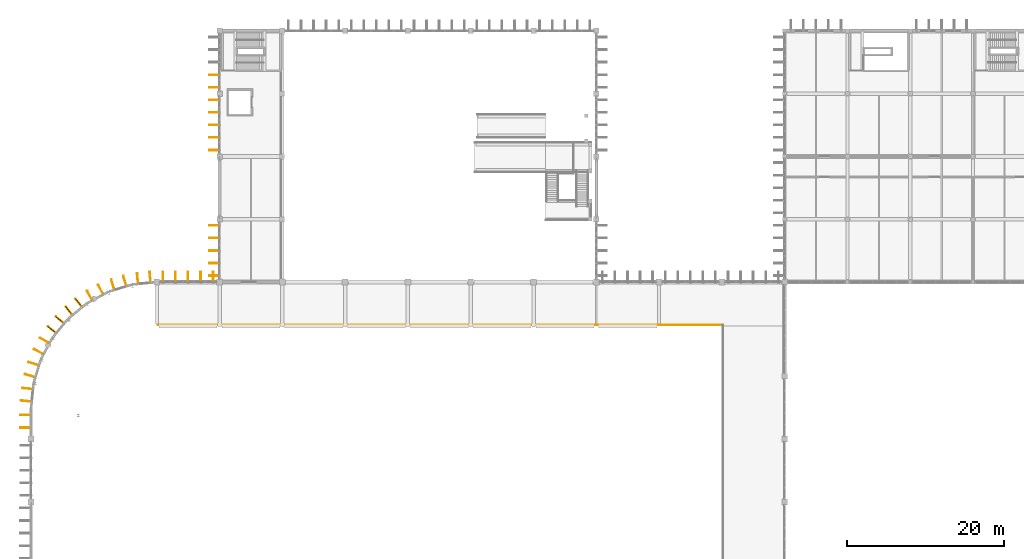
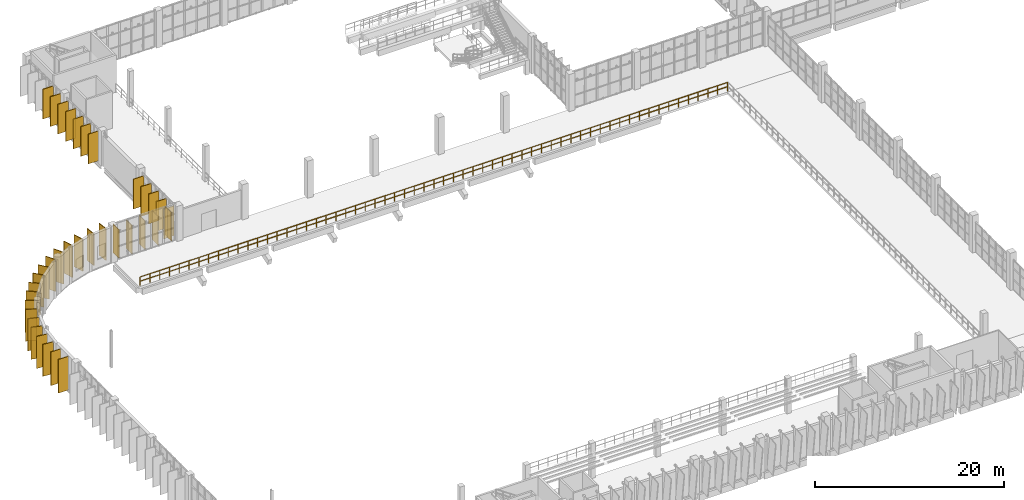
# One storey, part 89 of 93: 35 coverings, 35 shading devices, 1 railing.
"""IFC4 building model written with IfcOpenShell, lengths in metres."""

from ifc_helpers import new_model, si_unit, direction, frame, origin, origin_2d, place, context, subcontext, project, spatial, rectangle, circle, extrude, material, type_object, element, save


model = new_model("IFC4")

# Units and contexts
model_context = context("Model", 3, precision=1e-05, world=origin(), true_north=direction((0.0, 1.0)))
body_context = subcontext(model_context, "Body", "Model", "MODEL_VIEW")
ifc_project = project(units=[si_unit("LENGTHUNIT", "METRE"), si_unit("AREAUNIT", "SQUARE_METRE"), si_unit("VOLUMEUNIT", "CUBIC_METRE"), si_unit("PLANEANGLEUNIT", "RADIAN"), si_unit("MASSUNIT", "GRAM", prefix="KILO")], contexts=[model_context])

# Site, building, storey
site_placement = place(None, origin())
site = spatial("IfcSite", under=ifc_project, at=site_placement, CompositionType="ELEMENT")
building_placement = place(site_placement, origin())
building = spatial("IfcBuilding", under=site, at=building_placement, Name="Drelvana Railside Aquatics Centre", CompositionType="ELEMENT")
storey_placement = place(building_placement, frame((0.0, 0.0, 5.39990234375)))
storey = spatial("IfcBuildingStorey", under=building, at=storey_placement, Name="L01", CompositionType="ELEMENT", Elevation=5.39990234375)

# Coverings
ifc_material_1 = material(Name="Bronze-anodised extruded aluminium 6063-T6", Category="aluminium")
covering_type = type_object("IfcCoveringType", Name="COV-FIN-ALU", PredefinedType="CLADDING", material=ifc_material_1)
for number, where, z_axis, x_axis, name in (
    (1, (16.800048828125, 84.669921875, 0.0), (0.0, 0.0, 1.0), (1.0, 0.0, 0.0), "Vertical aluminium fin cladding CF-0145"),
    (2, (18.39990234375, 84.669921875, 0.0), (0.0, 0.0, 1.0), (1.0, 0.0, 0.0), "Vertical aluminium fin cladding CF-0146"),
    (3, (20.0, 84.669921875, 0.0), (0.0, 0.0, 1.0), (1.0, 0.0, 0.0), "Vertical aluminium fin cladding CF-0147"),
    (4, (21.60009765625, 84.669921875, 0.0), (0.0, 0.0, 1.0), (1.0, 0.0, 0.0), "Vertical aluminium fin cladding CF-0148"),
    (5, (23.199951171875, 84.669921875, 0.0), (0.0, 0.0, 1.0), (1.0, 0.0, 0.0), "Vertical aluminium fin cladding CF-0149"),
):
    element("IfcCovering", number, at=place(storey_placement, frame(where, z_axis=z_axis, x_axis=x_axis)), inside=storey, type_object=covering_type, Name=name, PredefinedType="CLADDING", context=body_context, shape_type="SweptSolid", body=[
        extrude(rectangle(XDim=0.0849609375, YDim=1.25, at=origin_2d()), origin(), (0.0, 0.0, 1.0), 3.699951171875),
    ])
for number, where, z_axis, x_axis, name in (
    (6, (-0.77490234375, 65.449951171875, 0.199951171875), (0.0, 0.0, 1.0), (0.0, 1.0, 0.0), "Vertical aluminium fin cladding CF-0267"),
    (7, (-0.77490234375, 67.050048828125, 0.199951171875), (0.0, 0.0, 1.0), (0.0, 1.0, 0.0), "Vertical aluminium fin cladding CF-0268"),
):
    element("IfcCovering", number, at=place(storey_placement, frame(where, z_axis=z_axis, x_axis=x_axis)), inside=storey, type_object=covering_type, Name=name, PredefinedType="CLADDING", context=body_context, shape_type="SweptSolid", body=[
        extrude(rectangle(XDim=0.0849609375, YDim=1.25, at=origin_2d()), origin(), (0.0, 0.0, 1.0), 4.35009765625),
    ])
for number, where, z_axis, x_axis, name in (
    (8, (15.162353515625, 84.666015625, 0.250244140625), (0.0, 0.0, 1.0), (0.995184726672, 0.09801714033, 0.0), "Vertical aluminium fin cladding CF-0339"),
    (9, (13.570068359375, 84.50927734375, 0.250244140625), (0.0, 0.0, 1.0), (0.995184726672, 0.09801714033, 0.0), "Vertical aluminium fin cladding CF-0340"),
    (10, (11.927001953125, 84.1826171875, 0.250244140625), (0.0, 0.0, 1.0), (0.956940335732, 0.290284677254, 0.0), "Vertical aluminium fin cladding CF-0347"),
    (11, (10.39599609375, 83.718017578125, 0.250244140625), (0.0, 0.0, 1.0), (0.956940335732, 0.290284677254, 0.0), "Vertical aluminium fin cladding CF-0348"),
    (12, (8.848388671875, 83.076904296875, 0.250244140625), (0.0, 0.0, 1.0), (0.881921264348, 0.471396736826, 0.0), "Vertical aluminium fin cladding CF-0355"),
    (13, (7.437255859375, 82.32275390625, 0.250244140625), (0.0, 0.0, 1.0), (0.881921264348, 0.471396736826, 0.0), "Vertical aluminium fin cladding CF-0356"),
    (14, (6.04443359375, 81.39208984375, 0.250244140625), (0.0, 0.0, 1.0), (0.773010453363, 0.634393284164, 0.0), "Vertical aluminium fin cladding CF-0363"),
    (15, (4.8076171875, 80.376953125, 0.250244140625), (0.0, 0.0, 1.0), (0.773010453363, 0.634393284164, 0.0), "Vertical aluminium fin cladding CF-0364"),
    (16, (3.623046875, 79.1923828125, 0.250244140625), (0.0, 0.0, 1.0), (0.634393284164, 0.773010453363, 0.0), "Vertical aluminium fin cladding CF-0371"),
    (17, (2.60791015625, 77.95556640625, 0.250244140625), (0.0, 0.0, 1.0), (0.634393284164, 0.773010453363, 0.0), "Vertical aluminium fin cladding CF-0372"),
    (18, (1.67724609375, 76.562744140625, 0.250244140625), (0.0, 0.0, 1.0), (0.471396736826, 0.881921264348, 0.0), "Vertical aluminium fin cladding CF-0379"),
    (19, (0.923095703125, 75.151611328125, 0.250244140625), (0.0, 0.0, 1.0), (0.471396736826, 0.881921264348, 0.0), "Vertical aluminium fin cladding CF-0380"),
    (20, (0.281982421875, 73.60400390625, 0.250244140625), (0.0, 0.0, 1.0), (0.290284677254, 0.956940335732, 0.0), "Vertical aluminium fin cladding CF-0387"),
    (21, (-0.1826171875, 72.072998046875, 0.250244140625), (0.0, 0.0, 1.0), (0.290284677254, 0.956940335732, 0.0), "Vertical aluminium fin cladding CF-0388"),
    (22, (-0.50927734375, 70.429931640625, 0.250244140625), (0.0, 0.0, 1.0), (0.09801714033, 0.995184726672, 0.0), "Vertical aluminium fin cladding CF-0395"),
    (23, (-0.666015625, 68.837646484375, 0.250244140625), (0.0, 0.0, 1.0), (0.09801714033, 0.995184726672, 0.0), "Vertical aluminium fin cladding CF-0396"),
):
    element("IfcCovering", number, at=place(storey_placement, frame(where, z_axis=z_axis, x_axis=x_axis)), inside=storey, type_object=covering_type, Name=name, PredefinedType="CLADDING", context=body_context, shape_type="SweptSolid", body=[
        extrude(rectangle(XDim=0.0849609375, YDim=1.25, at=origin_2d()), origin(), (0.0, 0.0, 1.0), 4.1298828125),
    ])
for number, where, z_axis, x_axis, name in (
    (24, (23.31494140625, 84.800048828125, 0.0), (0.0, 0.0, 1.0), (0.0, 1.0, 0.0), "Vertical aluminium fin cladding CF-0431"),
    (25, (23.31494140625, 86.39990234375, 0.0), (0.0, 0.0, 1.0), (0.0, 1.0, 0.0), "Vertical aluminium fin cladding CF-0432"),
    (26, (23.31494140625, 88.0, 0.0), (0.0, 0.0, 1.0), (0.0, 1.0, 0.0), "Vertical aluminium fin cladding CF-0433"),
    (27, (23.31494140625, 89.60009765625, 0.0), (0.0, 0.0, 1.0), (0.0, 1.0, 0.0), "Vertical aluminium fin cladding CF-0434"),
    (28, (23.31494140625, 91.199951171875, 0.0), (0.0, 0.0, 1.0), (0.0, 1.0, 0.0), "Vertical aluminium fin cladding CF-0435"),
    (29, (23.31494140625, 100.800048828125, 0.0), (0.0, 0.0, 1.0), (0.0, 1.0, 0.0), "Vertical aluminium fin cladding CF-0436"),
    (30, (23.31494140625, 102.39990234375, 0.0), (0.0, 0.0, 1.0), (0.0, 1.0, 0.0), "Vertical aluminium fin cladding CF-0437"),
    (31, (23.31494140625, 104.0, 0.0), (0.0, 0.0, 1.0), (0.0, 1.0, 0.0), "Vertical aluminium fin cladding CF-0438"),
    (32, (23.31494140625, 105.60009765625, 0.0), (0.0, 0.0, 1.0), (0.0, 1.0, 0.0), "Vertical aluminium fin cladding CF-0439"),
    (33, (23.31494140625, 107.199951171875, 0.0), (0.0, 0.0, 1.0), (0.0, 1.0, 0.0), "Vertical aluminium fin cladding CF-0440"),
    (34, (23.31494140625, 108.800048828125, 0.0), (0.0, 0.0, 1.0), (0.0, 1.0, 0.0), "Vertical aluminium fin cladding CF-0441"),
    (35, (23.31494140625, 110.39990234375, 0.0), (0.0, 0.0, 1.0), (0.0, 1.0, 0.0), "Vertical aluminium fin cladding CF-0442"),
):
    element("IfcCovering", number, at=place(storey_placement, frame(where, z_axis=z_axis, x_axis=x_axis)), inside=storey, type_object=covering_type, Name=name, PredefinedType="CLADDING", context=body_context, shape_type="SweptSolid", body=[
        extrude(rectangle(XDim=0.0849609375, YDim=1.25, at=origin_2d()), origin(), (0.0, 0.0, 1.0), 3.85009765625),
    ])

# Railing
ifc_material_2 = material(Name="Laminated glass and bronze-stainless gallery balustrade", Category="glass")
railing_type = type_object("IfcRailingType", Name="RAL-GALLERY-1150", PredefinedType="BALUSTRADE", material=ifc_material_2)
railing_placement = place(storey_placement, frame((16.199951171875, 78.550048828125, 0.0)))
element("IfcRailing", 36, at=railing_placement, inside=storey, type_object=railing_type, Name="Gallery balustrade 1 (L01)", PredefinedType="BALUSTRADE", context=body_context, shape_type="SweptSolid", body=[
    extrude(circle(Radius=0.02392578125, at=origin_2d()), frame((0.0, 0.0, 1.1259765625), z_axis=(1.0, 0.0, 0.0), x_axis=(0.0, 1.0, 0.0)), (0.0, 0.0, 1.0), 71.900146484375),
    extrude(circle(Radius=0.02392578125, at=origin_2d()), frame((0.0, 0.0, 0.574951171875), z_axis=(1.0, 0.0, 0.0), x_axis=(0.0, 1.0, 0.0)), (0.0, 0.0, 1.0), 71.900146484375),
    extrude(circle(Radius=0.02099609375, at=origin_2d()), origin(), (0.0, 0.0, 1.0), 1.101806640625),
    extrude(circle(Radius=0.02099609375, at=origin_2d()), frame((1.1982421875, 0.0, 0.0)), (0.0, 0.0, 1.0), 1.101806640625),
    extrude(circle(Radius=0.02099609375, at=origin_2d()), frame((2.396728515625, 0.0, 0.0)), (0.0, 0.0, 1.0), 1.101806640625),
    extrude(circle(Radius=0.02099609375, at=origin_2d()), frame((3.594970703125, 0.0, 0.0)), (0.0, 0.0, 1.0), 1.101806640625),
    extrude(circle(Radius=0.02099609375, at=origin_2d()), frame((4.79345703125, 0.0, 0.0)), (0.0, 0.0, 1.0), 1.101806640625),
    extrude(circle(Radius=0.02099609375, at=origin_2d()), frame((5.99169921875, 0.0, 0.0)), (0.0, 0.0, 1.0), 1.101806640625),
    extrude(circle(Radius=0.02099609375, at=origin_2d()), frame((7.18994140625, 0.0, 0.0)), (0.0, 0.0, 1.0), 1.101806640625),
    extrude(circle(Radius=0.02099609375, at=origin_2d()), frame((8.388427734375, 0.0, 0.0)), (0.0, 0.0, 1.0), 1.101806640625),
    extrude(circle(Radius=0.02099609375, at=origin_2d()), frame((9.586669921875, 0.0, 0.0)), (0.0, 0.0, 1.0), 1.101806640625),
    extrude(circle(Radius=0.02099609375, at=origin_2d()), frame((10.784912109375, 0.0, 0.0)), (0.0, 0.0, 1.0), 1.101806640625),
    extrude(circle(Radius=0.02099609375, at=origin_2d()), frame((11.9833984375, 0.0, 0.0)), (0.0, 0.0, 1.0), 1.101806640625),
    extrude(circle(Radius=0.02099609375, at=origin_2d()), frame((13.181640625, 0.0, 0.0)), (0.0, 0.0, 1.0), 1.101806640625),
    extrude(circle(Radius=0.02099609375, at=origin_2d()), frame((14.380126953125, 0.0, 0.0)), (0.0, 0.0, 1.0), 1.101806640625),
    extrude(circle(Radius=0.02099609375, at=origin_2d()), frame((15.578369140625, 0.0, 0.0)), (0.0, 0.0, 1.0), 1.101806640625),
    extrude(circle(Radius=0.02099609375, at=origin_2d()), frame((16.776611328125, 0.0, 0.0)), (0.0, 0.0, 1.0), 1.101806640625),
    extrude(circle(Radius=0.02099609375, at=origin_2d()), frame((17.97509765625, 0.0, 0.0)), (0.0, 0.0, 1.0), 1.101806640625),
    extrude(circle(Radius=0.02099609375, at=origin_2d()), frame((19.17333984375, 0.0, 0.0)), (0.0, 0.0, 1.0), 1.101806640625),
    extrude(circle(Radius=0.02099609375, at=origin_2d()), frame((20.371826171875, 0.0, 0.0)), (0.0, 0.0, 1.0), 1.101806640625),
    extrude(circle(Radius=0.02099609375, at=origin_2d()), frame((21.570068359375, 0.0, 0.0)), (0.0, 0.0, 1.0), 1.101806640625),
    extrude(circle(Radius=0.02099609375, at=origin_2d()), frame((22.768310546875, 0.0, 0.0)), (0.0, 0.0, 1.0), 1.101806640625),
    extrude(circle(Radius=0.02099609375, at=origin_2d()), frame((23.966796875, 0.0, 0.0)), (0.0, 0.0, 1.0), 1.101806640625),
    extrude(circle(Radius=0.02099609375, at=origin_2d()), frame((25.1650390625, 0.0, 0.0)), (0.0, 0.0, 1.0), 1.101806640625),
    extrude(circle(Radius=0.02099609375, at=origin_2d()), frame((26.36328125, 0.0, 0.0)), (0.0, 0.0, 1.0), 1.101806640625),
    extrude(circle(Radius=0.02099609375, at=origin_2d()), frame((27.561767578125, 0.0, 0.0)), (0.0, 0.0, 1.0), 1.101806640625),
    extrude(circle(Radius=0.02099609375, at=origin_2d()), frame((28.760009765625, 0.0, 0.0)), (0.0, 0.0, 1.0), 1.101806640625),
    extrude(circle(Radius=0.02099609375, at=origin_2d()), frame((29.95849609375, 0.0, 0.0)), (0.0, 0.0, 1.0), 1.101806640625),
    extrude(circle(Radius=0.02099609375, at=origin_2d()), frame((31.15673828125, 0.0, 0.0)), (0.0, 0.0, 1.0), 1.101806640625),
    extrude(circle(Radius=0.02099609375, at=origin_2d()), frame((32.35498046875, 0.0, 0.0)), (0.0, 0.0, 1.0), 1.101806640625),
    extrude(circle(Radius=0.02099609375, at=origin_2d()), frame((33.553466796875, 0.0, 0.0)), (0.0, 0.0, 1.0), 1.101806640625),
    extrude(circle(Radius=0.02099609375, at=origin_2d()), frame((34.751708984375, 0.0, 0.0)), (0.0, 0.0, 1.0), 1.101806640625),
    extrude(circle(Radius=0.02099609375, at=origin_2d()), frame((35.9501953125, 0.0, 0.0)), (0.0, 0.0, 1.0), 1.101806640625),
    extrude(circle(Radius=0.02099609375, at=origin_2d()), frame((37.1484375, 0.0, 0.0)), (0.0, 0.0, 1.0), 1.101806640625),
    extrude(circle(Radius=0.02099609375, at=origin_2d()), frame((38.3466796875, 0.0, 0.0)), (0.0, 0.0, 1.0), 1.101806640625),
    extrude(circle(Radius=0.02099609375, at=origin_2d()), frame((39.545166015625, 0.0, 0.0)), (0.0, 0.0, 1.0), 1.101806640625),
    extrude(circle(Radius=0.02099609375, at=origin_2d()), frame((40.743408203125, 0.0, 0.0)), (0.0, 0.0, 1.0), 1.101806640625),
    extrude(circle(Radius=0.02099609375, at=origin_2d()), frame((41.941650390625, 0.0, 0.0)), (0.0, 0.0, 1.0), 1.101806640625),
    extrude(circle(Radius=0.02099609375, at=origin_2d()), frame((43.14013671875, 0.0, 0.0)), (0.0, 0.0, 1.0), 1.101806640625),
    extrude(circle(Radius=0.02099609375, at=origin_2d()), frame((44.33837890625, 0.0, 0.0)), (0.0, 0.0, 1.0), 1.101806640625),
    extrude(circle(Radius=0.02099609375, at=origin_2d()), frame((45.536865234375, 0.0, 0.0)), (0.0, 0.0, 1.0), 1.101806640625),
    extrude(circle(Radius=0.02099609375, at=origin_2d()), frame((46.735107421875, 0.0, 0.0)), (0.0, 0.0, 1.0), 1.101806640625),
    extrude(circle(Radius=0.02099609375, at=origin_2d()), frame((47.933349609375, 0.0, 0.0)), (0.0, 0.0, 1.0), 1.101806640625),
    extrude(circle(Radius=0.02099609375, at=origin_2d()), frame((49.1318359375, 0.0, 0.0)), (0.0, 0.0, 1.0), 1.101806640625),
    extrude(circle(Radius=0.02099609375, at=origin_2d()), frame((50.330078125, 0.0, 0.0)), (0.0, 0.0, 1.0), 1.101806640625),
    extrude(circle(Radius=0.02099609375, at=origin_2d()), frame((51.5283203125, 0.0, 0.0)), (0.0, 0.0, 1.0), 1.101806640625),
    extrude(circle(Radius=0.02099609375, at=origin_2d()), frame((52.726806640625, 0.0, 0.0)), (0.0, 0.0, 1.0), 1.101806640625),
    extrude(circle(Radius=0.02099609375, at=origin_2d()), frame((53.925048828125, 0.0, 0.0)), (0.0, 0.0, 1.0), 1.101806640625),
    extrude(circle(Radius=0.02099609375, at=origin_2d()), frame((55.12353515625, 0.0, 0.0)), (0.0, 0.0, 1.0), 1.101806640625),
    extrude(circle(Radius=0.02099609375, at=origin_2d()), frame((56.32177734375, 0.0, 0.0)), (0.0, 0.0, 1.0), 1.101806640625),
    extrude(circle(Radius=0.02099609375, at=origin_2d()), frame((57.52001953125, 0.0, 0.0)), (0.0, 0.0, 1.0), 1.101806640625),
    extrude(circle(Radius=0.02099609375, at=origin_2d()), frame((58.718505859375, 0.0, 0.0)), (0.0, 0.0, 1.0), 1.101806640625),
    extrude(circle(Radius=0.02099609375, at=origin_2d()), frame((59.916748046875, 0.0, 0.0)), (0.0, 0.0, 1.0), 1.101806640625),
    extrude(circle(Radius=0.02099609375, at=origin_2d()), frame((61.115234375, 0.0, 0.0)), (0.0, 0.0, 1.0), 1.101806640625),
    extrude(circle(Radius=0.02099609375, at=origin_2d()), frame((62.3134765625, 0.0, 0.0)), (0.0, 0.0, 1.0), 1.101806640625),
    extrude(circle(Radius=0.02099609375, at=origin_2d()), frame((63.51171875, 0.0, 0.0)), (0.0, 0.0, 1.0), 1.101806640625),
    extrude(circle(Radius=0.02099609375, at=origin_2d()), frame((64.710205078125, 0.0, 0.0)), (0.0, 0.0, 1.0), 1.101806640625),
    extrude(circle(Radius=0.02099609375, at=origin_2d()), frame((65.908447265625, 0.0, 0.0)), (0.0, 0.0, 1.0), 1.101806640625),
    extrude(circle(Radius=0.02099609375, at=origin_2d()), frame((67.106689453125, 0.0, 0.0)), (0.0, 0.0, 1.0), 1.101806640625),
    extrude(circle(Radius=0.02099609375, at=origin_2d()), frame((68.30517578125, 0.0, 0.0)), (0.0, 0.0, 1.0), 1.101806640625),
    extrude(circle(Radius=0.02099609375, at=origin_2d()), frame((69.50341796875, 0.0, 0.0)), (0.0, 0.0, 1.0), 1.101806640625),
    extrude(circle(Radius=0.02099609375, at=origin_2d()), frame((70.701904296875, 0.0, 0.0)), (0.0, 0.0, 1.0), 1.101806640625),
    extrude(circle(Radius=0.02099609375, at=origin_2d()), frame((71.900146484375, 0.0, 0.0)), (0.0, 0.0, 1.0), 1.101806640625),
])

# Shading devices
shading_device_type = type_object("IfcShadingDeviceType", Name="SHD-FIN-1250", PredefinedType="USERDEFINED", material=ifc_material_1)
for number, where, z_axis, x_axis, name in (
    (37, (16.800048828125, 84.68994140625, 0.0), (0.0, 0.0, 1.0), (0.0, 1.0, 0.0), "Vertical bronze shading fin FN-0146"),
    (38, (18.39990234375, 84.68994140625, 0.0), (0.0, 0.0, 1.0), (0.0, 1.0, 0.0), "Vertical bronze shading fin FN-0147"),
    (39, (20.0, 84.68994140625, 0.0), (0.0, 0.0, 1.0), (0.0, 1.0, 0.0), "Vertical bronze shading fin FN-0148"),
    (40, (21.60009765625, 84.68994140625, 0.0), (0.0, 0.0, 1.0), (0.0, 1.0, 0.0), "Vertical bronze shading fin FN-0149"),
    (41, (23.199951171875, 84.68994140625, 0.0), (0.0, 0.0, 1.0), (0.0, 1.0, 0.0), "Vertical bronze shading fin FN-0150"),
):
    element("IfcShadingDevice", number, at=place(storey_placement, frame(where, z_axis=z_axis, x_axis=x_axis)), inside=storey, type_object=shading_device_type, Name=name, ObjectType="FIN", PredefinedType="USERDEFINED", context=body_context, shape_type="SweptSolid", body=[
        extrude(rectangle(XDim=1.25, YDim=0.06494140625, at=origin_2d()), origin(), (0.0, 0.0, 1.0), 3.699951171875),
    ])
for number, where, z_axis, x_axis, name in (
    (42, (-0.794921875, 65.449951171875, 0.199951171875), (0.0, 0.0, 1.0), (-1.0, 0.0, 0.0), "Vertical bronze shading fin FN-0274"),
    (43, (-0.794921875, 67.050048828125, 0.199951171875), (0.0, 0.0, 1.0), (-1.0, 0.0, 0.0), "Vertical bronze shading fin FN-0275"),
):
    element("IfcShadingDevice", number, at=place(storey_placement, frame(where, z_axis=z_axis, x_axis=x_axis)), inside=storey, type_object=shading_device_type, Name=name, ObjectType="FIN", PredefinedType="USERDEFINED", context=body_context, shape_type="SweptSolid", body=[
        extrude(rectangle(XDim=1.25, YDim=0.06494140625, at=origin_2d()), origin(), (0.0, 0.0, 1.0), 4.35009765625),
    ])
for number, where, z_axis, x_axis, name in (
    (44, (15.160400390625, 84.68603515625, 0.250244140625), (0.0, 0.0, 1.0), (-0.09801714033, 0.995184726672, 0.0), "Vertical bronze shading fin FN-0346"),
    (45, (13.568115234375, 84.529296875, 0.250244140625), (0.0, 0.0, 1.0), (-0.09801714033, 0.995184726672, 0.0), "Vertical bronze shading fin FN-0347"),
    (46, (11.92138671875, 84.20166015625, 0.250244140625), (0.0, 0.0, 1.0), (-0.290284677254, 0.956940335732, 0.0), "Vertical bronze shading fin FN-0354"),
    (47, (10.39013671875, 83.7373046875, 0.250244140625), (0.0, 0.0, 1.0), (-0.290284677254, 0.956940335732, 0.0), "Vertical bronze shading fin FN-0355"),
    (48, (8.8388671875, 83.094482421875, 0.250244140625), (0.0, 0.0, 1.0), (-0.471396736826, 0.881921264348, 0.0), "Vertical bronze shading fin FN-0362"),
    (49, (7.427734375, 82.34033203125, 0.250244140625), (0.0, 0.0, 1.0), (-0.471396736826, 0.881921264348, 0.0), "Vertical bronze shading fin FN-0363"),
    (50, (6.03173828125, 81.407470703125, 0.250244140625), (0.0, 0.0, 1.0), (-0.634393284164, 0.773010453363, 0.0), "Vertical bronze shading fin FN-0370"),
    (51, (4.794921875, 80.392333984375, 0.250244140625), (0.0, 0.0, 1.0), (-0.634393284164, 0.773010453363, 0.0), "Vertical bronze shading fin FN-0371"),
    (52, (3.607666015625, 79.205078125, 0.250244140625), (0.0, 0.0, 1.0), (-0.773010453363, 0.634393284164, 0.0), "Vertical bronze shading fin FN-0378"),
    (53, (2.592529296875, 77.96826171875, 0.250244140625), (0.0, 0.0, 1.0), (-0.773010453363, 0.634393284164, 0.0), "Vertical bronze shading fin FN-0379"),
    (54, (1.65966796875, 76.572265625, 0.250244140625), (0.0, 0.0, 1.0), (-0.881921264348, 0.471396736826, 0.0), "Vertical bronze shading fin FN-0386"),
    (55, (0.905517578125, 75.1611328125, 0.250244140625), (0.0, 0.0, 1.0), (-0.881921264348, 0.471396736826, 0.0), "Vertical bronze shading fin FN-0387"),
    (56, (0.2626953125, 73.60986328125, 0.250244140625), (0.0, 0.0, 1.0), (-0.956940335732, 0.290284677254, 0.0), "Vertical bronze shading fin FN-0394"),
    (57, (-0.20166015625, 72.07861328125, 0.250244140625), (0.0, 0.0, 1.0), (-0.956940335732, 0.290284677254, 0.0), "Vertical bronze shading fin FN-0395"),
    (58, (-0.529296875, 70.431884765625, 0.250244140625), (0.0, 0.0, 1.0), (-0.995184726672, 0.09801714033, 0.0), "Vertical bronze shading fin FN-0402"),
    (59, (-0.68603515625, 68.839599609375, 0.250244140625), (0.0, 0.0, 1.0), (-0.995184726672, 0.09801714033, 0.0), "Vertical bronze shading fin FN-0403"),
):
    element("IfcShadingDevice", number, at=place(storey_placement, frame(where, z_axis=z_axis, x_axis=x_axis)), inside=storey, type_object=shading_device_type, Name=name, ObjectType="FIN", PredefinedType="USERDEFINED", context=body_context, shape_type="SweptSolid", body=[
        extrude(rectangle(XDim=1.25, YDim=0.06494140625, at=origin_2d()), origin(), (0.0, 0.0, 1.0), 4.1298828125),
    ])
for number, where, z_axis, x_axis, name in (
    (60, (23.294921875, 84.800048828125, 0.0), (0.0, 0.0, 1.0), (-1.0, 0.0, 0.0), "Vertical bronze shading fin FN-0438"),
    (61, (23.294921875, 86.39990234375, 0.0), (0.0, 0.0, 1.0), (-1.0, 0.0, 0.0), "Vertical bronze shading fin FN-0439"),
    (62, (23.294921875, 88.0, 0.0), (0.0, 0.0, 1.0), (-1.0, 0.0, 0.0), "Vertical bronze shading fin FN-0440"),
    (63, (23.294921875, 89.60009765625, 0.0), (0.0, 0.0, 1.0), (-1.0, 0.0, 0.0), "Vertical bronze shading fin FN-0441"),
    (64, (23.294921875, 91.199951171875, 0.0), (0.0, 0.0, 1.0), (-1.0, 0.0, 0.0), "Vertical bronze shading fin FN-0442"),
    (65, (23.294921875, 100.800048828125, 0.0), (0.0, 0.0, 1.0), (-1.0, 0.0, 0.0), "Vertical bronze shading fin FN-0443"),
    (66, (23.294921875, 102.39990234375, 0.0), (0.0, 0.0, 1.0), (-1.0, 0.0, 0.0), "Vertical bronze shading fin FN-0444"),
    (67, (23.294921875, 104.0, 0.0), (0.0, 0.0, 1.0), (-1.0, 0.0, 0.0), "Vertical bronze shading fin FN-0445"),
    (68, (23.294921875, 105.60009765625, 0.0), (0.0, 0.0, 1.0), (-1.0, 0.0, 0.0), "Vertical bronze shading fin FN-0446"),
    (69, (23.294921875, 107.199951171875, 0.0), (0.0, 0.0, 1.0), (-1.0, 0.0, 0.0), "Vertical bronze shading fin FN-0447"),
    (70, (23.294921875, 108.800048828125, 0.0), (0.0, 0.0, 1.0), (-1.0, 0.0, 0.0), "Vertical bronze shading fin FN-0448"),
    (71, (23.294921875, 110.39990234375, 0.0), (0.0, 0.0, 1.0), (-1.0, 0.0, 0.0), "Vertical bronze shading fin FN-0449"),
):
    element("IfcShadingDevice", number, at=place(storey_placement, frame(where, z_axis=z_axis, x_axis=x_axis)), inside=storey, type_object=shading_device_type, Name=name, ObjectType="FIN", PredefinedType="USERDEFINED", context=body_context, shape_type="SweptSolid", body=[
        extrude(rectangle(XDim=1.25, YDim=0.06494140625, at=origin_2d()), origin(), (0.0, 0.0, 1.0), 3.85009765625),
    ])

save(model, "model.ifc")
